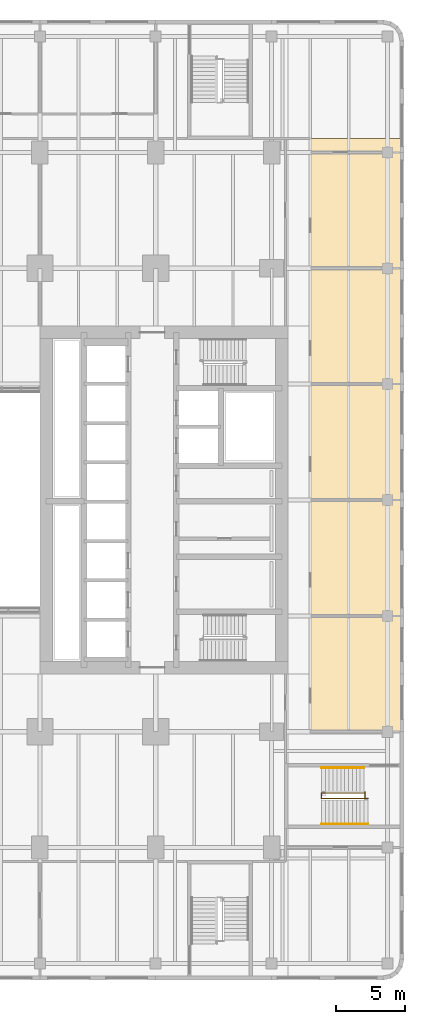
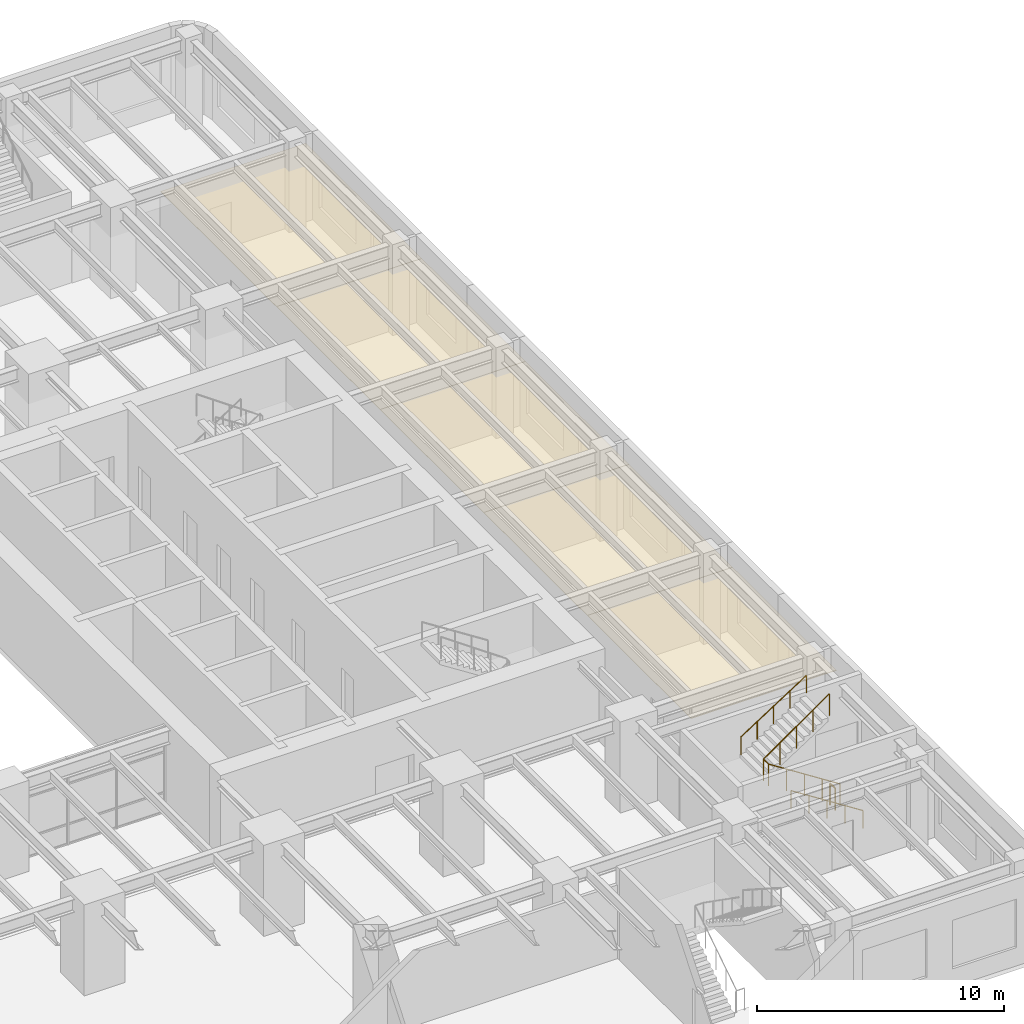
# One storey, part 23 of 26: 5 coverings, 4 railings.
"""IFC4 building model written with IfcOpenShell, lengths in metres."""

from ifc_helpers import new_model, si_unit, direction, frame, origin, origin_2d, place, context, subcontext, project, spatial, polyline, circle, outline, extrude, material, layer, layer_set, type_object, element, save


model = new_model("IFC4")

# Units and contexts
model_context = context("Model", 3, precision=1e-05, world=origin(), true_north=direction((0.0, 1.0)))
body_context = subcontext(model_context, "Body", "Model", "MODEL_VIEW")
ifc_project = project(units=[si_unit("LENGTHUNIT", "METRE"), si_unit("AREAUNIT", "SQUARE_METRE"), si_unit("VOLUMEUNIT", "CUBIC_METRE"), si_unit("PLANEANGLEUNIT", "RADIAN"), si_unit("MASSUNIT", "GRAM", prefix="KILO")], contexts=[model_context])

# Site, building, storey
site_placement = place(None, origin())
site = spatial("IfcSite", under=ifc_project, at=site_placement, CompositionType="ELEMENT")
building_placement = place(site_placement, origin())
building = spatial("IfcBuilding", under=site, at=building_placement, Name="Claustro Exchange Tower", CompositionType="ELEMENT")
storey_placement = place(building_placement, frame((0.0, 0.0, 9.89990234375)))
storey = spatial("IfcBuildingStorey", under=building, at=storey_placement, Name="L02", CompositionType="ELEMENT", Elevation=9.89990234375)

# Coverings
ifc_material_1 = material(Name="Gypsum board ceiling", Category="gypsum board")
ifc_layer = layer(ifc_material_1, 0.02490234375)
ifc_layer_set = layer_set([ifc_layer], Name="Gypsum board ceiling")
covering_type = type_object("IfcCoveringType", Name="CL2 plasterboard ceiling", PredefinedType="CEILING", material=ifc_layer_set)
covering_1_placement = place(storey_placement, frame((0.0, 0.0, 3.0)))
element("IfcCovering", 1, at=covering_1_placement, inside=storey, type_object=covering_type, Name="Ceiling CL2 L02-09", PredefinedType="CEILING", context=body_context, shape_type="SweptSolid", body=[
    extrude(outline(polyline([(60.0, 8.39990234375), (60.0, 16.800048828125), (53.199951171875, 16.800048828125), (53.199951171875, 8.39990234375), (60.0, 8.39990234375)])), origin(), (0.0, 0.0, 1.0), 0.025146484375),
])
covering_2_placement = place(storey_placement, frame((0.0, 0.0, 3.0)))
element("IfcCovering", 2, at=covering_2_placement, inside=storey, type_object=covering_type, Name="Ceiling CL2 L02-11", PredefinedType="CEILING", context=body_context, shape_type="SweptSolid", body=[
    extrude(outline(polyline([(60.0, 16.800048828125), (60.0, 25.199951171875), (53.199951171875, 25.199951171875), (53.199951171875, 16.800048828125), (60.0, 16.800048828125)])), origin(), (0.0, 0.0, 1.0), 0.025146484375),
])
covering_3_placement = place(storey_placement, frame((0.0, 0.0, 3.0)))
element("IfcCovering", 3, at=covering_3_placement, inside=storey, type_object=covering_type, Name="Ceiling CL2 L02-15", PredefinedType="CEILING", context=body_context, shape_type="SweptSolid", body=[
    extrude(outline(polyline([(60.0, 25.199951171875), (60.0, 33.60009765625), (53.199951171875, 33.60009765625), (53.199951171875, 25.199951171875), (60.0, 25.199951171875)])), origin(), (0.0, 0.0, 1.0), 0.025146484375),
])
covering_4_placement = place(storey_placement, frame((0.0, 0.0, 3.0)))
element("IfcCovering", 4, at=covering_4_placement, inside=storey, type_object=covering_type, Name="Ceiling CL2 L02-17", PredefinedType="CEILING", context=body_context, shape_type="SweptSolid", body=[
    extrude(outline(polyline([(60.0, 33.60009765625), (60.0, 42.0), (53.199951171875, 42.0), (53.199951171875, 33.60009765625), (60.0, 33.60009765625)])), origin(), (0.0, 0.0, 1.0), 0.025146484375),
])
covering_5_placement = place(storey_placement, frame((0.0, 0.0, 3.0)))
element("IfcCovering", 5, at=covering_5_placement, inside=storey, type_object=covering_type, Name="Ceiling CL2 L02-22", PredefinedType="CEILING", context=body_context, shape_type="SweptSolid", body=[
    extrude(outline(polyline([(60.0, 42.0), (60.0, 51.39990234375), (53.199951171875, 51.39990234375), (53.199951171875, 42.0), (60.0, 42.0)])), origin(), (0.0, 0.0, 1.0), 0.025146484375),
])

# Railings
ifc_material_2 = material(Name="Steel balustrade, painted", Category="steel")
railing_type_1 = type_object("IfcRailingType", Name="GR2 1100 steel stair guard", PredefinedType="GUARDRAIL", material=ifc_material_2)
railing_1_placement = place(storey_placement, frame((57.3798828125, 3.550048828125, 0.18017578125)))
element("IfcRailing", 6, at=railing_1_placement, inside=storey, type_object=railing_type_1, Name="Stair well guard GR2 stair STP6 L02", PredefinedType="GUARDRAIL", context=body_context, shape_type="SweptSolid", body=[
    extrude(circle(Radius=0.02392578125, at=origin_2d()), frame((0.0, 0.0, 1.076171875), z_axis=(-0.841178475377, 0.0, 0.540757591313), x_axis=(0.0, -1.0, 0.0)), (0.0, 0.0, 1.0), 3.994140625),
    extrude(circle(Radius=0.02392578125, at=origin_2d()), frame((-3.35986328125, 0.0, 3.23583984375), z_axis=(0.0, 1.0, 0.0), x_axis=(-1.0, 0.0, 0.0)), (0.0, 0.0, 1.0), 0.39990234375),
    extrude(circle(Radius=0.02392578125, at=origin_2d()), frame((-3.35986328125, 0.39990234375, 3.23583984375), z_axis=(0.8187499073, 0.0, 0.574150319426), x_axis=(0.0, 1.0, 0.0)), (0.0, 0.0, 1.0), 3.761962890625),
    extrude(circle(Radius=0.02099609375, at=origin_2d()), origin(), (0.0, 0.0, 1.0), 1.052001953125),
    extrude(circle(Radius=0.02099609375, at=origin_2d()), frame((-0.83984375, 0.0, 0.5400390625)), (0.0, 0.0, 1.0), 1.052001953125),
    extrude(circle(Radius=0.02099609375, at=origin_2d()), frame((-1.679931640625, 0.0, 1.080078125)), (0.0, 0.0, 1.0), 1.052001953125),
    extrude(circle(Radius=0.02099609375, at=origin_2d()), frame((-2.52001953125, 0.0, 1.619873046875)), (0.0, 0.0, 1.0), 1.052001953125),
    extrude(circle(Radius=0.02099609375, at=origin_2d()), frame((-3.35986328125, 0.0, 2.159912109375)), (0.0, 0.0, 1.0), 1.052001953125),
    extrude(circle(Radius=0.02099609375, at=origin_2d()), frame((-3.35986328125, 0.39990234375, 2.159912109375)), (0.0, 0.0, 1.0), 1.052001953125),
    extrude(circle(Radius=0.02099609375, at=origin_2d()), frame((-2.58984375, 0.39990234375, 2.699951171875)), (0.0, 0.0, 1.0), 1.052001953125),
    extrude(circle(Radius=0.02099609375, at=origin_2d()), frame((-1.81982421875, 0.39990234375, 3.23974609375)), (0.0, 0.0, 1.0), 1.052001953125),
    extrude(circle(Radius=0.02099609375, at=origin_2d()), frame((-1.0498046875, 0.39990234375, 3.77978515625)), (0.0, 0.0, 1.0), 1.052001953125),
    extrude(circle(Radius=0.02099609375, at=origin_2d()), frame((-0.27978515625, 0.39990234375, 4.31982421875)), (0.0, 0.0, 1.0), 1.052001953125),
])
railing_2_placement = place(storey_placement, frame((57.179931640625, 3.6201171875, 0.0)))
element("IfcRailing", 7, at=railing_2_placement, inside=storey, type_object=railing_type_1, Name="Stair guard GR2 STP6 L02", PredefinedType="GUARDRAIL", context=body_context, shape_type="SweptSolid", body=[
    extrude(circle(Radius=0.02392578125, at=origin_2d()), frame((0.0, 0.0, 1.076171875), z_axis=(0.0, 1.0, 0.0), x_axis=(-1.0, 0.0, 0.0)), (0.0, 0.0, 1.0), 0.409912109375),
    extrude(circle(Radius=0.02099609375, at=origin_2d()), origin(), (0.0, 0.0, 1.0), 1.052001953125),
    extrude(circle(Radius=0.02099609375, at=origin_2d()), frame((0.0, 0.409912109375, 0.0)), (0.0, 0.0, 1.0), 1.052001953125),
])
ifc_material_3 = material(Name="Stainless steel tube", Category="steel")
railing_type_2 = type_object("IfcRailingType", Name="HR1 900 stair handrail", PredefinedType="HANDRAIL", material=ifc_material_3)
railing_3_placement = place(storey_placement, frame((57.3798828125, 1.7099609375, 0.18017578125)))
element("IfcRailing", 8, at=railing_3_placement, inside=storey, type_object=railing_type_2, Name="Handrail HR1 stair STP6 L02", PredefinedType="HANDRAIL", context=body_context, shape_type="SweptSolid", body=[
    extrude(circle(Radius=0.02392578125, at=origin_2d()), frame((0.0, 0.0, 0.8759765625), z_axis=(-0.841178475377, 0.0, 0.540757591313), x_axis=(0.0, -1.0, 0.0)), (0.0, 0.0, 1.0), 3.994140625),
    extrude(circle(Radius=0.02099609375, at=origin_2d()), origin(), (0.0, 0.0, 1.0), 0.851806640625),
    extrude(circle(Radius=0.02099609375, at=origin_2d()), frame((-0.83984375, 0.0, 0.5400390625)), (0.0, 0.0, 1.0), 0.851806640625),
    extrude(circle(Radius=0.02099609375, at=origin_2d()), frame((-1.679931640625, 0.0, 1.080078125)), (0.0, 0.0, 1.0), 0.851806640625),
    extrude(circle(Radius=0.02099609375, at=origin_2d()), frame((-2.52001953125, 0.0, 1.619873046875)), (0.0, 0.0, 1.0), 0.851806640625),
    extrude(circle(Radius=0.02099609375, at=origin_2d()), frame((-3.35986328125, 0.0, 2.159912109375)), (0.0, 0.0, 1.0), 0.851806640625),
])
railing_4_placement = place(storey_placement, frame((54.02001953125, 5.7900390625, 2.52001953125)))
element("IfcRailing", 9, at=railing_4_placement, inside=storey, type_object=railing_type_2, Name="Handrail HR1 stair STP6 L02", PredefinedType="HANDRAIL", context=body_context, shape_type="SweptSolid", body=[
    extrude(circle(Radius=0.02392578125, at=origin_2d()), frame((0.0, 0.0, 0.8759765625), z_axis=(0.84118714077, 0.0, 0.540744111576), x_axis=(0.0, 1.0, 0.0)), (0.0, 0.0, 1.0), 3.66162109375),
    extrude(circle(Radius=0.02099609375, at=origin_2d()), origin(), (0.0, 0.0, 1.0), 0.851806640625),
    extrude(circle(Radius=0.02099609375, at=origin_2d()), frame((0.77001953125, 0.0, 0.4951171875)), (0.0, 0.0, 1.0), 0.851806640625),
    extrude(circle(Radius=0.02099609375, at=origin_2d()), frame((1.5400390625, 0.0, 0.989990234375)), (0.0, 0.0, 1.0), 0.851806640625),
    extrude(circle(Radius=0.02099609375, at=origin_2d()), frame((2.31005859375, 0.0, 1.48486328125)), (0.0, 0.0, 1.0), 0.851806640625),
    extrude(circle(Radius=0.02099609375, at=origin_2d()), frame((3.080078125, 0.0, 1.97998046875)), (0.0, 0.0, 1.0), 0.851806640625),
])

save(model, "model.ifc")
